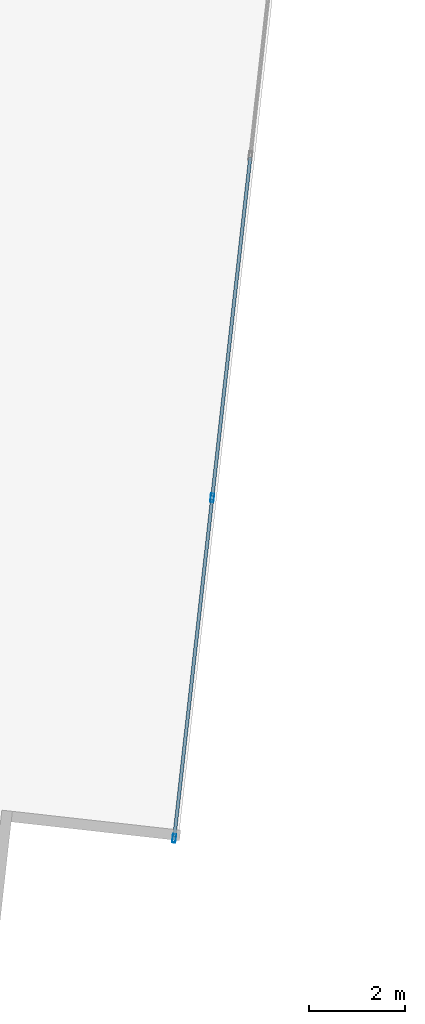
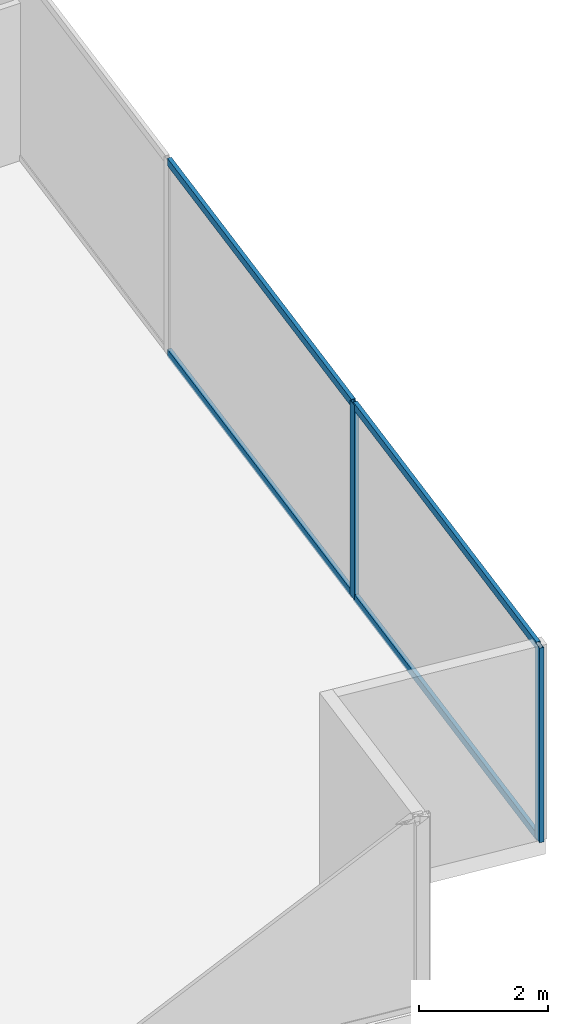
# One storey, part 12 of 28: 6 members, 1 element without a shape of its own.
"""IFC4 building model written with IfcOpenShell, lengths in metres."""

from ifc_helpers import new_model, si_unit, direction, frame, origin, origin_2d, place, context, subcontext, project, spatial, hollow_rectangle, extrude, source, transform, mapped, material, material_profile, profile_set, type_object, type_shapes, element, aggregate, save


model = new_model("IFC4")

# Units and contexts
model_context = context("Model", 3, precision=1e-05, world=origin(), true_north=direction((0.0, 1.0)))
body_context = subcontext(model_context, "Body", "Model", "MODEL_VIEW")
ifc_project = project(units=[si_unit("LENGTHUNIT", "METRE"), si_unit("AREAUNIT", "SQUARE_METRE"), si_unit("VOLUMEUNIT", "CUBIC_METRE"), si_unit("PLANEANGLEUNIT", "RADIAN"), si_unit("MASSUNIT", "GRAM", prefix="KILO")], contexts=[model_context])

# Site, building, storey
site_placement = place(None, origin())
site = spatial("IfcSite", under=ifc_project, at=site_placement, CompositionType="ELEMENT")
building_placement = place(site_placement, origin())
building = spatial("IfcBuilding", under=site, at=building_placement, Name="Krantzveldt Concourse Tower", CompositionType="ELEMENT")
storey_placement = place(building_placement, frame((0.0, 0.0, 64.5)))
storey = spatial("IfcBuildingStorey", under=building, at=storey_placement, Name="L15", CompositionType="ELEMENT", Elevation=64.5)

# Curtain wall, members
ifc_material = material(Name="Anodised aluminium 6063-T6", Category="aluminium")
curtain_wall_type = type_object("IfcCurtainWallType", Name="CW2", PredefinedType="USERDEFINED", material=ifc_material)
curtain_wall_placement = place(storey_placement, origin())
curtain_wall = element("IfcCurtainWall", 1, at=curtain_wall_placement, inside=storey, type_object=curtain_wall_type, Name="CW-L15-F07", ObjectType="UNITISED CURTAIN WALL", PredefinedType="USERDEFINED")
ifc_material_profile_1 = material_profile(ifc_material, hollow_rectangle(XDim=0.070068359375, YDim=0.179931640625, WallThickness=0.0048828125, at=origin_2d()), Name="Anodised aluminium 6063-T6", Category="aluminium")
ifc_profile_set_1 = profile_set([ifc_material_profile_1], Name="Anodised aluminium 6063-T6 - ALU-MULL 180x70x5")
member_type_1 = type_object("IfcMemberType", Name="CW-MUL-180", PredefinedType="MULLION", material=ifc_profile_set_1)
shared_shape_1 = source(origin(), body_context, "Body", "SweptSolid", [
    extrude(hollow_rectangle(XDim=0.070068359375, YDim=0.179931640625, WallThickness=0.0048828125, at=origin_2d()), origin(), (0.0, 0.0, 1.0), 3.669921875),
])
type_shapes(member_type_1, [shared_shape_1])
member_1_placement = place(storey_placement, frame((58.37255859375, 2.601806640625, 0.0), z_axis=(0.0, 0.0, 1.0), x_axis=(-0.993816458223, 0.111035342863, 0.0)))
member_1 = element("IfcMember", 2, at=member_1_placement, type_object=member_type_1, Name="CW-Z12 mullion 1", PredefinedType="MULLION", context=body_context, shape_type="MappedRepresentation", body=[
    mapped(shared_shape_1, transform((0.0, 0.0, 0.0), x_axis=(1.0, 0.0, 0.0), y_axis=(0.0, 1.0, 0.0), z_axis=(0.0, 0.0, 1.0), scale=1.0)),
])
member_2_placement = place(storey_placement, frame((59.16455078125, 9.689453125, 0.0), z_axis=(0.0, 0.0, 1.0), x_axis=(-0.993816458223, 0.111035342863, 0.0)))
member_2 = element("IfcMember", 3, at=member_2_placement, type_object=member_type_1, Name="CW-Z12 mullion 2", PredefinedType="MULLION", context=body_context, shape_type="MappedRepresentation", body=[
    mapped(shared_shape_1, transform((0.0, 0.0, 0.0), x_axis=(1.0, 0.0, 0.0), y_axis=(0.0, 1.0, 0.0), z_axis=(0.0, 0.0, 1.0), scale=1.0)),
])
ifc_material_profile_2 = material_profile(ifc_material, hollow_rectangle(XDim=0.070068359375, YDim=0.139892578125, WallThickness=0.0048828125, at=origin_2d()), Name="Anodised aluminium 6063-T6", Category="aluminium")
ifc_profile_set_2 = profile_set([ifc_material_profile_2], Name="Anodised aluminium 6063-T6 - ALU-TRAN 140x70x5")
member_type_2 = type_object("IfcMemberType", Name="CW-TRN-150", PredefinedType="USERDEFINED", material=ifc_profile_set_2)
shared_shape_2 = source(origin(), body_context, "Body", "SweptSolid", [
    extrude(hollow_rectangle(XDim=0.070068359375, YDim=0.139892578125, WallThickness=0.0048828125, at=origin_2d()), origin(), (0.0, 0.0, 1.0), 7.0615234375),
])
member_3_placement = place(storey_placement, frame((58.37646484375, 2.63671875, 0.034912109375), z_axis=(0.111050032763, 0.993814816866, 0.0), x_axis=(-0.993814816866, 0.111050032763, 0.0)))
member_3 = element("IfcMember", 4, at=member_3_placement, type_object=member_type_2, Name="CW-Z12 transom 1.1", ObjectType="TRANSOM", PredefinedType="USERDEFINED", context=body_context, shape_type="MappedRepresentation", body=[
    mapped(shared_shape_2, transform((0.0, 0.0, 0.0), x_axis=(1.0, 0.0, 0.0), y_axis=(0.0, 1.0, 0.0), z_axis=(0.0, 0.0, 1.0), scale=1.0)),
])
member_4_placement = place(storey_placement, frame((58.37646484375, 2.63671875, 3.635009765625), z_axis=(0.111050032763, 0.993814816866, 0.0), x_axis=(-0.993814816866, 0.111050032763, 0.0)))
member_4 = element("IfcMember", 5, at=member_4_placement, type_object=member_type_2, Name="CW-Z12 transom 1.2", ObjectType="TRANSOM", PredefinedType="USERDEFINED", context=body_context, shape_type="MappedRepresentation", body=[
    mapped(shared_shape_2, transform((0.0, 0.0, 0.0), x_axis=(1.0, 0.0, 0.0), y_axis=(0.0, 1.0, 0.0), z_axis=(0.0, 0.0, 1.0), scale=1.0)),
])
shared_shape_3 = source(origin(), body_context, "Body", "SweptSolid", [
    extrude(hollow_rectangle(XDim=0.070068359375, YDim=0.139892578125, WallThickness=0.0048828125, at=origin_2d()), origin(), (0.0, 0.0, 1.0), 7.0966796875),
])
type_shapes(member_type_2, [shared_shape_2, shared_shape_3])
member_5_placement = place(storey_placement, frame((59.16845703125, 9.72412109375, 0.034912109375), z_axis=(0.111016768449, 0.993818533296, 0.0), x_axis=(-0.993818533296, 0.111016768449, 0.0)))
member_5 = element("IfcMember", 6, at=member_5_placement, type_object=member_type_2, Name="CW-Z12 transom 2.1", ObjectType="TRANSOM", PredefinedType="USERDEFINED", context=body_context, shape_type="MappedRepresentation", body=[
    mapped(shared_shape_3, transform((0.0, 0.0, 0.0), x_axis=(1.0, 0.0, 0.0), y_axis=(0.0, 1.0, 0.0), z_axis=(0.0, 0.0, 1.0), scale=1.0)),
])
member_6_placement = place(storey_placement, frame((59.16845703125, 9.72412109375, 3.635009765625), z_axis=(0.111016768449, 0.993818533296, 0.0), x_axis=(-0.993818533296, 0.111016768449, 0.0)))
member_6 = element("IfcMember", 7, at=member_6_placement, type_object=member_type_2, Name="CW-Z12 transom 2.2", ObjectType="TRANSOM", PredefinedType="USERDEFINED", context=body_context, shape_type="MappedRepresentation", body=[
    mapped(shared_shape_3, transform((0.0, 0.0, 0.0), x_axis=(1.0, 0.0, 0.0), y_axis=(0.0, 1.0, 0.0), z_axis=(0.0, 0.0, 1.0), scale=1.0)),
])
aggregate(curtain_wall, [member_1, member_2, member_3, member_4, member_5, member_6])

save(model, "model.ifc")
